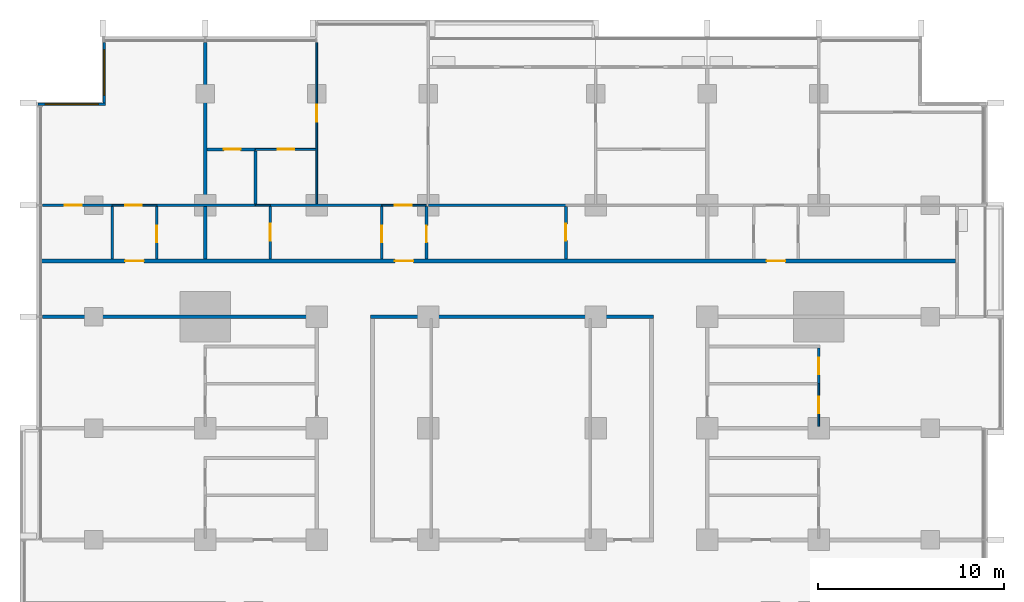
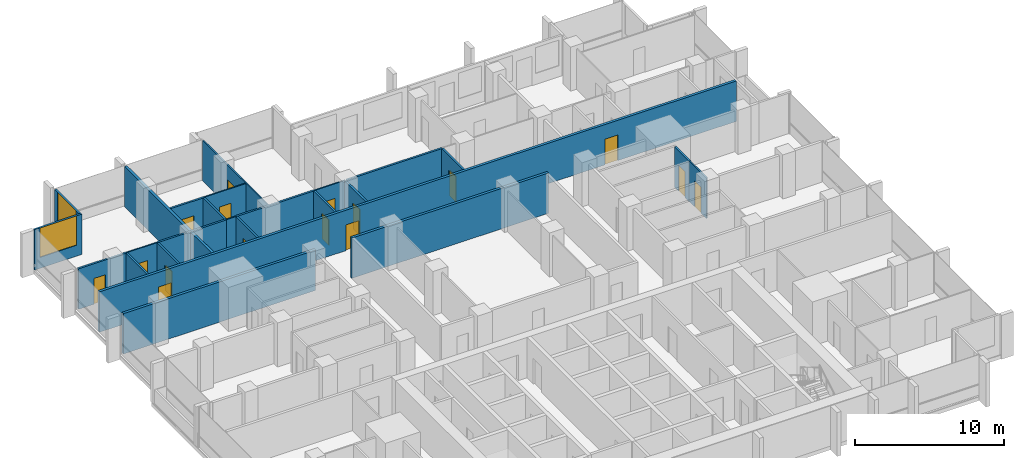
# One storey, part 10 of 17: 26 walls, 16 doors, 2 windows, 18 openings.
"""IFC4 building model written with IfcOpenShell, lengths in metres."""

from ifc_helpers import new_model, si_unit, direction, frame, frame_2d, origin, place, context, subcontext, project, spatial, rectangle, extrude, material, layer, layer_set, type_object, element, fill, save


model = new_model("IFC4")

# Units and contexts
model_context = context("Model", 3, precision=1e-05, world=origin(), true_north=direction((0.0, 1.0)))
body_context = subcontext(model_context, "Body", "Model", "MODEL_VIEW")
ifc_project = project(units=[si_unit("LENGTHUNIT", "METRE"), si_unit("AREAUNIT", "SQUARE_METRE"), si_unit("VOLUMEUNIT", "CUBIC_METRE"), si_unit("PLANEANGLEUNIT", "RADIAN"), si_unit("MASSUNIT", "GRAM", prefix="KILO")], contexts=[model_context])

# Site, building, storey
site_placement = place(None, origin())
site = spatial("IfcSite", under=ifc_project, at=site_placement, CompositionType="ELEMENT")
building_placement = place(site_placement, origin())
building = spatial("IfcBuilding", under=site, at=building_placement, Name="Finial Court Residences", CompositionType="ELEMENT")
storey_placement = place(building_placement, frame((0.0, 0.0, 124.300048828125)))
storey = spatial("IfcBuildingStorey", under=building, at=storey_placement, Name="L31", CompositionType="ELEMENT", Elevation=124.300048828125)

# Walls
ifc_material_1 = material(Name="Gypsum board")
ifc_layer_1 = layer(ifc_material_1, 0.02490234375)
ifc_material_2 = material(Name="Acoustic mineral wool in double frame")
ifc_layer_2 = layer(ifc_material_2, 0.14990234375)
ifc_layer_3 = layer(ifc_material_1, 0.02490234375)
ifc_layer_set_1 = layer_set([ifc_layer_1, ifc_layer_2, ifc_layer_3], Name="Acoustic party wall 200, 1 hour")
wall_type_1 = type_object("IfcWallType", Name="Acoustic party wall 200, 1 hour", PredefinedType="PARTITIONING", material=ifc_layer_set_1)
wall_1_placement = place(storey_placement, frame((-16.5, 10.60009765625, 0.0), z_axis=(0.0, 0.0, 1.0), x_axis=(0.0, 1.0, 0.0)))
element("IfcWall", 1, at=wall_1_placement, inside=storey, type_object=wall_type_1, Name="Partition L31-048", PredefinedType="PARTITIONING", context=body_context, shape_type="SweptSolid", body=[
    extrude(rectangle(XDim=2.824951171875, YDim=0.199951171875, at=frame_2d((1.41259765625, 0.0))), origin(), (0.0, 0.0, 1.0), 3.300048828125),
])
wall_2_placement = place(storey_placement, frame((-16.5, 13.574951171875, 0.0), z_axis=(0.0, 0.0, 1.0), x_axis=(0.0, 1.0, 0.0)))
element("IfcWall", 2, at=wall_2_placement, inside=storey, type_object=wall_type_1, Name="Partition L31-049", PredefinedType="PARTITIONING", context=body_context, shape_type="SweptSolid", body=[
    extrude(rectangle(XDim=8.675048828125, YDim=0.199951171875, at=frame_2d((4.33740234375, 0.0))), origin(), (0.0, 0.0, 1.0), 3.300048828125),
])
ifc_layer_4 = layer(ifc_material_1, 0.02490234375)
ifc_layer_5 = layer(ifc_material_2, 0.14990234375)
ifc_layer_6 = layer(ifc_material_1, 0.02490234375)
ifc_layer_set_2 = layer_set([ifc_layer_4, ifc_layer_5, ifc_layer_6], Name="Corridor wall 200, 1 hour")
wall_type_2 = type_object("IfcWallType", Name="Corridor wall 200, 1 hour", PredefinedType="PARTITIONING", material=ifc_layer_set_2)
wall_3_placement = place(storey_placement, frame((-25.25, 7.5, 0.0), z_axis=(0.0, 0.0, 1.0), x_axis=(1.0, 0.0, 0.0)))
element("IfcWall", 3, at=wall_3_placement, inside=storey, type_object=wall_type_2, Name="Partition L31-023", PredefinedType="PARTITIONING", context=body_context, shape_type="SweptSolid", body=[
    extrude(rectangle(XDim=14.85009765625, YDim=0.199951171875, at=frame_2d((7.425048828125, 0.0))), origin(), (0.0, 0.0, 1.0), 3.300048828125),
])
wall_4_placement = place(storey_placement, frame((-7.60009765625, 7.5, 0.0), z_axis=(0.0, 0.0, 1.0), x_axis=(1.0, 0.0, 0.0)))
element("IfcWall", 4, at=wall_4_placement, inside=storey, type_object=wall_type_2, Name="Partition L31-024", PredefinedType="PARTITIONING", context=body_context, shape_type="SweptSolid", body=[
    extrude(rectangle(XDim=15.2001953125, YDim=0.199951171875, at=frame_2d((7.60009765625, 0.0))), origin(), (0.0, 0.0, 1.0), 3.300048828125),
])

# Wall, openings, doors
wall_5_placement = place(storey_placement, frame((-25.35009765625, 10.5, 0.0), z_axis=(0.0, 0.0, 1.0), x_axis=(1.0, 0.0, 0.0)))
wall_5 = element("IfcWall", 5, at=wall_5_placement, inside=storey, type_object=wall_type_2, Name="Partition L31-026", PredefinedType="PARTITIONING", context=body_context, shape_type="SweptSolid", body=[
    extrude(rectangle(XDim=49.2001953125, YDim=0.199951171875, at=frame_2d((24.60009765625, 0.0))), origin(), (0.0, 0.0, 1.0), 3.300048828125),
])
opening_1_placement = place(wall_5_placement, frame((4.550048828125, 0.0, 0.0)))
opening_1 = element("IfcOpeningElement", 6, at=opening_1_placement, cuts=wall_5, Name="Opening L31-D012", PredefinedType="OPENING", context=body_context, shape_type="SweptSolid", body=[
    extrude(rectangle(XDim=1.0, YDim=2.10009765625, at=frame_2d((0.5, 1.050048828125))), frame((0.0, 0.10986328125, 0.0), z_axis=(0.0, -1.0, 0.0), x_axis=(1.0, 0.0, 0.0)), (0.0, 0.0, 1.0), 0.219970703125),
])
opening_2_placement = place(wall_5_placement, frame((19.050048828125, 0.0, 0.0)))
opening_2 = element("IfcOpeningElement", 7, at=opening_2_placement, cuts=wall_5, Name="Opening L31-D013", PredefinedType="OPENING", context=body_context, shape_type="SweptSolid", body=[
    extrude(rectangle(XDim=1.0, YDim=2.10009765625, at=frame_2d((0.5, 1.050048828125))), frame((0.0, 0.10986328125, 0.0), z_axis=(0.0, -1.0, 0.0), x_axis=(1.0, 0.0, 0.0)), (0.0, 0.0, 1.0), 0.219970703125),
])
opening_3_placement = place(wall_5_placement, frame((39.050048828125, 0.0, 0.0)))
opening_3 = element("IfcOpeningElement", 8, at=opening_3_placement, cuts=wall_5, Name="Opening L31-D014", PredefinedType="OPENING", context=body_context, shape_type="SweptSolid", body=[
    extrude(rectangle(XDim=1.0, YDim=2.10009765625, at=frame_2d((0.5, 1.050048828125))), frame((0.0, 0.10986328125, 0.0), z_axis=(0.0, -1.0, 0.0), x_axis=(1.0, 0.0, 0.0)), (0.0, 0.0, 1.0), 0.219970703125),
])
ifc_material_3 = material(Name="Timber door leaf in hollow metal frame", Category="wood")
door_type_1 = type_object("IfcDoorType", Name="Fire door set 1000 x 2100, 30 minutes", OperationType="SINGLE_SWING_LEFT", PredefinedType="DOOR", material=ifc_material_3)
door_1_placement = place(opening_1_placement, origin())
door_1 = element("IfcDoor", 9, at=door_1_placement, inside=storey, type_object=door_type_1, Name="Door L31-D012", OperationType="SINGLE_SWING_RIGHT", OverallHeight=2.10009765625, OverallWidth=1.0, PredefinedType="DOOR", context=body_context, shape_type="SweptSolid", body=[
    extrude(rectangle(XDim=1.0, YDim=2.10009765625, at=frame_2d((0.5, 1.050048828125))), frame((0.0, 0.02490234375, 0.0), z_axis=(0.0, -1.0, 0.0), x_axis=(1.0, 0.0, 0.0)), (0.0, 0.0, 1.0), 0.050048828125),
])
fill(opening_1, door_1)
door_2_placement = place(opening_2_placement, origin())
door_2 = element("IfcDoor", 10, at=door_2_placement, inside=storey, type_object=door_type_1, Name="Door L31-D013", OperationType="SINGLE_SWING_RIGHT", OverallHeight=2.10009765625, OverallWidth=1.0, PredefinedType="DOOR", context=body_context, shape_type="SweptSolid", body=[
    extrude(rectangle(XDim=1.0, YDim=2.10009765625, at=frame_2d((0.5, 1.050048828125))), frame((0.0, 0.02490234375, 0.0), z_axis=(0.0, -1.0, 0.0), x_axis=(1.0, 0.0, 0.0)), (0.0, 0.0, 1.0), 0.050048828125),
])
fill(opening_2, door_2)
door_3_placement = place(opening_3_placement, origin())
door_3 = element("IfcDoor", 11, at=door_3_placement, inside=storey, type_object=door_type_1, Name="Door L31-D014", OperationType="SINGLE_SWING_LEFT", OverallHeight=2.10009765625, OverallWidth=1.0, PredefinedType="DOOR", context=body_context, shape_type="SweptSolid", body=[
    extrude(rectangle(XDim=1.0, YDim=2.10009765625, at=frame_2d((0.5, 1.050048828125))), frame((0.0, 0.02490234375, 0.0), z_axis=(0.0, -1.0, 0.0), x_axis=(1.0, 0.0, 0.0)), (0.0, 0.0, 1.0), 0.050048828125),
])
fill(opening_3, door_3)

# Wall, opening, door
ifc_layer_7 = layer(ifc_material_1, 0.012451171875)
ifc_material_4 = material(Name="Mineral wool in light-gauge frame")
ifc_layer_8 = layer(ifc_material_4, 0.074951171875)
ifc_layer_9 = layer(ifc_material_1, 0.012451171875)
ifc_layer_set_3 = layer_set([ifc_layer_7, ifc_layer_8, ifc_layer_9], Name="Gypsum board partition 100")
wall_type_3 = type_object("IfcWallType", Name="Gypsum board partition 100", PredefinedType="PARTITIONING", material=ifc_layer_set_3)
wall_6_placement = place(storey_placement, frame((-21.5, 13.5, 0.0), z_axis=(0.0, 0.0, 1.0), x_axis=(1.0, 0.0, 0.0)))
wall_6 = element("IfcWall", 12, at=wall_6_placement, inside=storey, type_object=wall_type_3, Name="Partition L31-027", PredefinedType="PARTITIONING", context=body_context, shape_type="SweptSolid", body=[
    extrude(rectangle(XDim=2.39990234375, YDim=0.10009765625, at=frame_2d((1.199951171875, 0.0))), origin(), (0.0, 0.0, 1.0), 3.300048828125),
])
opening_4_placement = place(wall_6_placement, frame((0.699951171875, 0.0, 0.0)))
opening_4 = element("IfcOpeningElement", 13, at=opening_4_placement, cuts=wall_6, Name="Opening L31-D015", PredefinedType="OPENING", context=body_context, shape_type="SweptSolid", body=[
    extrude(rectangle(XDim=0.89990234375, YDim=2.10009765625, at=frame_2d((0.449951171875, 1.050048828125))), frame((0.0, 0.06005859375, 0.0), z_axis=(0.0, -1.0, 0.0), x_axis=(1.0, 0.0, 0.0)), (0.0, 0.0, 1.0), 0.1201171875),
])
ifc_material_5 = material(Name="Timber door leaf in timber frame", Category="wood")
door_type_2 = type_object("IfcDoorType", Name="Door set 900 x 2100", OperationType="SINGLE_SWING_LEFT", PredefinedType="DOOR", material=ifc_material_5)
door_4_placement = place(opening_4_placement, origin())
door_4 = element("IfcDoor", 14, at=door_4_placement, inside=storey, type_object=door_type_2, Name="Door L31-D015", OperationType="SINGLE_SWING_RIGHT", OverallHeight=2.10009765625, OverallWidth=0.89990234375, PredefinedType="DOOR", context=body_context, shape_type="SweptSolid", body=[
    extrude(rectangle(XDim=0.89990234375, YDim=2.10009765625, at=frame_2d((0.449951171875, 1.050048828125))), frame((0.0, 0.02490234375, 0.0), z_axis=(0.0, -1.0, 0.0), x_axis=(1.0, 0.0, 0.0)), (0.0, 0.0, 1.0), 0.050048828125),
])
fill(opening_4, door_4)

# Wall
wall_7_placement = place(storey_placement, frame((-13.800048828125, 13.5, 0.0), z_axis=(0.0, 0.0, 1.0), x_axis=(1.0, 0.0, 0.0)))
element("IfcWall", 15, at=wall_7_placement, inside=storey, type_object=wall_type_3, Name="Partition L31-028", PredefinedType="PARTITIONING", context=body_context, shape_type="SweptSolid", body=[
    extrude(rectangle(XDim=0.800048828125, YDim=0.10009765625, at=frame_2d((0.39990234375, 0.0))), origin(), (0.0, 0.0, 1.0), 3.300048828125),
])

# Wall, opening, door
wall_8_placement = place(storey_placement, frame((-7.0, 13.5, 0.0), z_axis=(0.0, 0.0, 1.0), x_axis=(1.0, 0.0, 0.0)))
wall_8 = element("IfcWall", 16, at=wall_8_placement, inside=storey, type_object=wall_type_3, Name="Partition L31-029", PredefinedType="PARTITIONING", context=body_context, shape_type="SweptSolid", body=[
    extrude(rectangle(XDim=2.39990234375, YDim=0.10009765625, at=frame_2d((1.199951171875, 0.0))), origin(), (0.0, 0.0, 1.0), 3.300048828125),
])
opening_5_placement = place(wall_8_placement, frame((0.699951171875, 0.0, 0.0)))
opening_5 = element("IfcOpeningElement", 17, at=opening_5_placement, cuts=wall_8, Name="Opening L31-D016", PredefinedType="OPENING", context=body_context, shape_type="SweptSolid", body=[
    extrude(rectangle(XDim=0.89990234375, YDim=2.10009765625, at=frame_2d((0.449951171875, 1.050048828125))), frame((0.0, 0.06005859375, 0.0), z_axis=(0.0, -1.0, 0.0), x_axis=(1.0, 0.0, 0.0)), (0.0, 0.0, 1.0), 0.1201171875),
])
door_5_placement = place(opening_5_placement, origin())
door_5 = element("IfcDoor", 18, at=door_5_placement, inside=storey, type_object=door_type_2, Name="Door L31-D016", OperationType="SINGLE_SWING_LEFT", OverallHeight=2.10009765625, OverallWidth=0.89990234375, PredefinedType="DOOR", context=body_context, shape_type="SweptSolid", body=[
    extrude(rectangle(XDim=0.89990234375, YDim=2.10009765625, at=frame_2d((0.449951171875, 1.050048828125))), frame((0.0, 0.02490234375, 0.0), z_axis=(0.0, -1.0, 0.0), x_axis=(1.0, 0.0, 0.0)), (0.0, 0.0, 1.0), 0.050048828125),
])
fill(opening_5, door_5)

wall_9_placement = place(storey_placement, frame((-13.800048828125, 16.5, 0.0), z_axis=(0.0, 0.0, 1.0), x_axis=(1.0, 0.0, 0.0)))
wall_9 = element("IfcWall", 19, at=wall_9_placement, inside=storey, type_object=wall_type_3, Name="Partition L31-039", PredefinedType="PARTITIONING", context=body_context, shape_type="SweptSolid", body=[
    extrude(rectangle(XDim=3.25, YDim=0.10009765625, at=frame_2d((1.625, 0.0))), origin(), (0.0, 0.0, 1.0), 3.300048828125),
])
opening_6_placement = place(wall_9_placement, frame((1.199951171875, 0.0, 0.0)))
opening_6 = element("IfcOpeningElement", 20, at=opening_6_placement, cuts=wall_9, Name="Opening L31-D019", PredefinedType="OPENING", context=body_context, shape_type="SweptSolid", body=[
    extrude(rectangle(XDim=0.89990234375, YDim=2.10009765625, at=frame_2d((0.449951171875, 1.050048828125))), frame((0.0, 0.06005859375, 0.0), z_axis=(0.0, -1.0, 0.0), x_axis=(1.0, 0.0, 0.0)), (0.0, 0.0, 1.0), 0.1201171875),
])
door_6_placement = place(opening_6_placement, origin())
door_6 = element("IfcDoor", 21, at=door_6_placement, inside=storey, type_object=door_type_2, Name="Door L31-D019", OperationType="SINGLE_SWING_LEFT", OverallHeight=2.10009765625, OverallWidth=0.89990234375, PredefinedType="DOOR", context=body_context, shape_type="SweptSolid", body=[
    extrude(rectangle(XDim=0.89990234375, YDim=2.10009765625, at=frame_2d((0.449951171875, 1.050048828125))), frame((0.0, 0.02490234375, 0.0), z_axis=(0.0, -1.0, 0.0), x_axis=(1.0, 0.0, 0.0)), (0.0, 0.0, 1.0), 0.050048828125),
])
fill(opening_6, door_6)

wall_10_placement = place(storey_placement, frame((-10.5, 13.574951171875, 0.0), z_axis=(0.0, 0.0, 1.0), x_axis=(0.0, 1.0, 0.0)))
wall_10 = element("IfcWall", 22, at=wall_10_placement, inside=storey, type_object=wall_type_3, Name="Partition L31-057", PredefinedType="PARTITIONING", context=body_context, shape_type="SweptSolid", body=[
    extrude(rectangle(XDim=8.675048828125, YDim=0.10009765625, at=frame_2d((4.33740234375, 0.0))), origin(), (0.0, 0.0, 1.0), 3.300048828125),
])
opening_7_placement = place(wall_10_placement, frame((4.425048828125, 0.0, 0.0)))
opening_7 = element("IfcOpeningElement", 23, at=opening_7_placement, cuts=wall_10, Name="Opening L31-D032", PredefinedType="OPENING", context=body_context, shape_type="SweptSolid", body=[
    extrude(rectangle(XDim=0.89990234375, YDim=2.10009765625, at=frame_2d((0.449951171875, 1.050048828125))), frame((0.0, 0.06005859375, 0.0), z_axis=(0.0, -1.0, 0.0), x_axis=(1.0, 0.0, 0.0)), (0.0, 0.0, 1.0), 0.1201171875),
])
door_7_placement = place(opening_7_placement, origin())
door_7 = element("IfcDoor", 24, at=door_7_placement, inside=storey, type_object=door_type_2, Name="Door L31-D032", OperationType="SINGLE_SWING_LEFT", OverallHeight=2.10009765625, OverallWidth=0.89990234375, PredefinedType="DOOR", context=body_context, shape_type="SweptSolid", body=[
    extrude(rectangle(XDim=0.89990234375, YDim=2.10009765625, at=frame_2d((0.449951171875, 1.050048828125))), frame((0.0, 0.02490234375, 0.0), z_axis=(0.0, -1.0, 0.0), x_axis=(1.0, 0.0, 0.0)), (0.0, 0.0, 1.0), 0.050048828125),
])
fill(opening_7, door_7)

wall_11_placement = place(storey_placement, frame((16.5, 1.60009765625, 0.0), z_axis=(0.0, 0.0, 1.0), x_axis=(0.0, 1.0, 0.0)))
wall_11 = element("IfcWall", 25, at=wall_11_placement, inside=storey, type_object=wall_type_3, Name="Partition L31-077", PredefinedType="PARTITIONING", context=body_context, shape_type="SweptSolid", body=[
    extrude(rectangle(XDim=2.2998046875, YDim=0.10009765625, at=frame_2d((1.14990234375, 0.0))), origin(), (0.0, 0.0, 1.0), 3.300048828125),
])
opening_8_placement = place(wall_11_placement, frame((0.699951171875, 0.0, 0.0)))
opening_8 = element("IfcOpeningElement", 26, at=opening_8_placement, cuts=wall_11, Name="Opening L31-D045", PredefinedType="OPENING", context=body_context, shape_type="SweptSolid", body=[
    extrude(rectangle(XDim=0.89990234375, YDim=2.10009765625, at=frame_2d((0.449951171875, 1.050048828125))), frame((0.0, 0.06005859375, 0.0), z_axis=(0.0, -1.0, 0.0), x_axis=(1.0, 0.0, 0.0)), (0.0, 0.0, 1.0), 0.1201171875),
])
door_8_placement = place(opening_8_placement, origin())
door_8 = element("IfcDoor", 27, at=door_8_placement, inside=storey, type_object=door_type_2, Name="Door L31-D045", OperationType="SINGLE_SWING_LEFT", OverallHeight=2.10009765625, OverallWidth=0.89990234375, PredefinedType="DOOR", context=body_context, shape_type="SweptSolid", body=[
    extrude(rectangle(XDim=0.89990234375, YDim=2.10009765625, at=frame_2d((0.449951171875, 1.050048828125))), frame((0.0, 0.02490234375, 0.0), z_axis=(0.0, -1.0, 0.0), x_axis=(1.0, 0.0, 0.0)), (0.0, 0.0, 1.0), 0.050048828125),
])
fill(opening_8, door_8)

ifc_material_6 = material(Name="Moisture-resistant gypsum board")
ifc_layer_10 = layer(ifc_material_6, 0.012451171875)
ifc_layer_11 = layer(ifc_material_4, 0.125)
ifc_layer_12 = layer(ifc_material_6, 0.012451171875)
ifc_layer_set_4 = layer_set([ifc_layer_10, ifc_layer_11, ifc_layer_12], Name="Gypsum board wet-area partition 150")
wall_type_4 = type_object("IfcWallType", Name="Gypsum board wet-area partition 150", PredefinedType="PARTITIONING", material=ifc_layer_set_4)
wall_12_placement = place(storey_placement, frame((-25.25, 13.5, 0.0), z_axis=(0.0, 0.0, 1.0), x_axis=(1.0, 0.0, 0.0)))
wall_12 = element("IfcWall", 28, at=wall_12_placement, inside=storey, type_object=wall_type_4, Name="Partition L31-033", PredefinedType="PARTITIONING", context=body_context, shape_type="SweptSolid", body=[
    extrude(rectangle(XDim=3.75, YDim=0.14990234375, at=frame_2d((1.875, 0.0))), origin(), (0.0, 0.0, 1.0), 3.300048828125),
])
opening_9_placement = place(wall_12_placement, frame((1.199951171875, 0.0, 0.0)))
opening_9 = element("IfcOpeningElement", 29, at=opening_9_placement, cuts=wall_12, Name="Opening L31-D018", PredefinedType="OPENING", context=body_context, shape_type="SweptSolid", body=[
    extrude(rectangle(XDim=0.89990234375, YDim=2.10009765625, at=frame_2d((0.449951171875, 1.050048828125))), frame((0.0, 0.0849609375, 0.0), z_axis=(0.0, -1.0, 0.0), x_axis=(1.0, 0.0, 0.0)), (0.0, 0.0, 1.0), 0.169921875),
])
door_9_placement = place(opening_9_placement, origin())
door_9 = element("IfcDoor", 30, at=door_9_placement, inside=storey, type_object=door_type_2, Name="Door L31-D018", OperationType="SINGLE_SWING_LEFT", OverallHeight=2.10009765625, OverallWidth=0.89990234375, PredefinedType="DOOR", context=body_context, shape_type="SweptSolid", body=[
    extrude(rectangle(XDim=0.89990234375, YDim=2.10009765625, at=frame_2d((0.449951171875, 1.050048828125))), frame((0.0, 0.02490234375, 0.0), z_axis=(0.0, -1.0, 0.0), x_axis=(1.0, 0.0, 0.0)), (0.0, 0.0, 1.0), 0.050048828125),
])
fill(opening_9, door_9)

# Walls
wall_13_placement = place(storey_placement, frame((-19.10009765625, 13.5, 0.0), z_axis=(0.0, 0.0, 1.0), x_axis=(1.0, 0.0, 0.0)))
element("IfcWall", 31, at=wall_13_placement, inside=storey, type_object=wall_type_4, Name="Partition L31-034", PredefinedType="PARTITIONING", context=body_context, shape_type="SweptSolid", body=[
    extrude(rectangle(XDim=5.300048828125, YDim=0.14990234375, at=frame_2d((2.64990234375, 0.0))), origin(), (0.0, 0.0, 1.0), 3.300048828125),
])
wall_14_placement = place(storey_placement, frame((-13.0, 13.5, 0.0), z_axis=(0.0, 0.0, 1.0), x_axis=(1.0, 0.0, 0.0)))
element("IfcWall", 32, at=wall_14_placement, inside=storey, type_object=wall_type_4, Name="Partition L31-035", PredefinedType="PARTITIONING", context=body_context, shape_type="SweptSolid", body=[
    extrude(rectangle(XDim=6.0, YDim=0.14990234375, at=frame_2d((3.0, 0.0))), origin(), (0.0, 0.0, 1.0), 3.300048828125),
])
wall_15_placement = place(storey_placement, frame((-4.5, 13.5, 0.0), z_axis=(0.0, 0.0, 1.0), x_axis=(1.0, 0.0, 0.0)))
element("IfcWall", 33, at=wall_15_placement, inside=storey, type_object=wall_type_4, Name="Partition L31-036", PredefinedType="PARTITIONING", context=body_context, shape_type="SweptSolid", body=[
    extrude(rectangle(XDim=7.39990234375, YDim=0.14990234375, at=frame_2d((3.699951171875, 0.0))), origin(), (0.0, 0.0, 1.0), 3.300048828125),
])

# Wall, opening, door
wall_16_placement = place(storey_placement, frame((-16.39990234375, 16.5, 0.0), z_axis=(0.0, 0.0, 1.0), x_axis=(1.0, 0.0, 0.0)))
wall_16 = element("IfcWall", 34, at=wall_16_placement, inside=storey, type_object=wall_type_4, Name="Partition L31-041", PredefinedType="PARTITIONING", context=body_context, shape_type="SweptSolid", body=[
    extrude(rectangle(XDim=2.599853515625, YDim=0.14990234375, at=frame_2d((1.2998046875, 0.0))), origin(), (0.0, 0.0, 1.0), 3.300048828125),
])
opening_10_placement = place(wall_16_placement, frame((0.89990234375, 0.0, 0.0)))
opening_10 = element("IfcOpeningElement", 35, at=opening_10_placement, cuts=wall_16, Name="Opening L31-D021", PredefinedType="OPENING", context=body_context, shape_type="SweptSolid", body=[
    extrude(rectangle(XDim=0.89990234375, YDim=2.10009765625, at=frame_2d((0.449951171875, 1.050048828125))), frame((0.0, 0.0849609375, 0.0), z_axis=(0.0, -1.0, 0.0), x_axis=(1.0, 0.0, 0.0)), (0.0, 0.0, 1.0), 0.169921875),
])
door_10_placement = place(opening_10_placement, origin())
door_10 = element("IfcDoor", 36, at=door_10_placement, inside=storey, type_object=door_type_2, Name="Door L31-D021", OperationType="SINGLE_SWING_LEFT", OverallHeight=2.10009765625, OverallWidth=0.89990234375, PredefinedType="DOOR", context=body_context, shape_type="SweptSolid", body=[
    extrude(rectangle(XDim=0.89990234375, YDim=2.10009765625, at=frame_2d((0.449951171875, 1.050048828125))), frame((0.0, 0.02490234375, 0.0), z_axis=(0.0, -1.0, 0.0), x_axis=(1.0, 0.0, 0.0)), (0.0, 0.0, 1.0), 0.050048828125),
])
fill(opening_10, door_10)

# Wall
wall_17_placement = place(storey_placement, frame((-21.5, 10.60009765625, 0.0), z_axis=(0.0, 0.0, 1.0), x_axis=(0.0, 1.0, 0.0)))
element("IfcWall", 37, at=wall_17_placement, inside=storey, type_object=wall_type_4, Name="Partition L31-043", PredefinedType="PARTITIONING", context=body_context, shape_type="SweptSolid", body=[
    extrude(rectangle(XDim=2.824951171875, YDim=0.14990234375, at=frame_2d((1.41259765625, 0.0))), origin(), (0.0, 0.0, 1.0), 3.300048828125),
])

# Wall, opening, door
wall_18_placement = place(storey_placement, frame((-19.10009765625, 10.60009765625, 0.0), z_axis=(0.0, 0.0, 1.0), x_axis=(0.0, 1.0, 0.0)))
wall_18 = element("IfcWall", 38, at=wall_18_placement, inside=storey, type_object=wall_type_4, Name="Partition L31-045", PredefinedType="PARTITIONING", context=body_context, shape_type="SweptSolid", body=[
    extrude(rectangle(XDim=2.824951171875, YDim=0.14990234375, at=frame_2d((1.41259765625, 0.0))), origin(), (0.0, 0.0, 1.0), 3.300048828125),
])
opening_11_placement = place(wall_18_placement, frame((0.89990234375, 0.0, 0.0)))
opening_11 = element("IfcOpeningElement", 39, at=opening_11_placement, cuts=wall_18, Name="Opening L31-D024", PredefinedType="OPENING", context=body_context, shape_type="SweptSolid", body=[
    extrude(rectangle(XDim=0.89990234375, YDim=2.10009765625, at=frame_2d((0.449951171875, 1.050048828125))), frame((0.0, 0.0849609375, 0.0), z_axis=(0.0, -1.0, 0.0), x_axis=(1.0, 0.0, 0.0)), (0.0, 0.0, 1.0), 0.169921875),
])
door_11_placement = place(opening_11_placement, origin())
door_11 = element("IfcDoor", 40, at=door_11_placement, inside=storey, type_object=door_type_2, Name="Door L31-D024", OperationType="SINGLE_SWING_RIGHT", OverallHeight=2.10009765625, OverallWidth=0.89990234375, PredefinedType="DOOR", context=body_context, shape_type="SweptSolid", body=[
    extrude(rectangle(XDim=0.89990234375, YDim=2.10009765625, at=frame_2d((0.449951171875, 1.050048828125))), frame((0.0, 0.02490234375, 0.0), z_axis=(0.0, -1.0, 0.0), x_axis=(1.0, 0.0, 0.0)), (0.0, 0.0, 1.0), 0.050048828125),
])
fill(opening_11, door_11)

# Wall
wall_19_placement = place(storey_placement, frame((-13.800048828125, 13.574951171875, 0.0), z_axis=(0.0, 0.0, 1.0), x_axis=(0.0, 1.0, 0.0)))
element("IfcWall", 41, at=wall_19_placement, inside=storey, type_object=wall_type_4, Name="Partition L31-054", PredefinedType="PARTITIONING", context=body_context, shape_type="SweptSolid", body=[
    extrude(rectangle(XDim=2.85009765625, YDim=0.14990234375, at=frame_2d((1.425048828125, 0.0))), origin(), (0.0, 0.0, 1.0), 3.300048828125),
])

# Wall, opening, door
wall_20_placement = place(storey_placement, frame((-13.0, 10.60009765625, 0.0), z_axis=(0.0, 0.0, 1.0), x_axis=(0.0, 1.0, 0.0)))
wall_20 = element("IfcWall", 42, at=wall_20_placement, inside=storey, type_object=wall_type_4, Name="Partition L31-055", PredefinedType="PARTITIONING", context=body_context, shape_type="SweptSolid", body=[
    extrude(rectangle(XDim=2.824951171875, YDim=0.14990234375, at=frame_2d((1.41259765625, 0.0))), origin(), (0.0, 0.0, 1.0), 3.300048828125),
])
opening_12_placement = place(wall_20_placement, frame((1.0, 0.0, 0.0)))
opening_12 = element("IfcOpeningElement", 43, at=opening_12_placement, cuts=wall_20, Name="Opening L31-D030", PredefinedType="OPENING", context=body_context, shape_type="SweptSolid", body=[
    extrude(rectangle(XDim=0.89990234375, YDim=2.10009765625, at=frame_2d((0.449951171875, 1.050048828125))), frame((0.0, 0.0849609375, 0.0), z_axis=(0.0, -1.0, 0.0), x_axis=(1.0, 0.0, 0.0)), (0.0, 0.0, 1.0), 0.169921875),
])
door_12_placement = place(opening_12_placement, origin())
door_12 = element("IfcDoor", 44, at=door_12_placement, inside=storey, type_object=door_type_2, Name="Door L31-D030", OperationType="SINGLE_SWING_LEFT", OverallHeight=2.10009765625, OverallWidth=0.89990234375, PredefinedType="DOOR", context=body_context, shape_type="SweptSolid", body=[
    extrude(rectangle(XDim=0.89990234375, YDim=2.10009765625, at=frame_2d((0.449951171875, 1.050048828125))), frame((0.0, 0.02490234375, 0.0), z_axis=(0.0, -1.0, 0.0), x_axis=(1.0, 0.0, 0.0)), (0.0, 0.0, 1.0), 0.050048828125),
])
fill(opening_12, door_12)

wall_21_placement = place(storey_placement, frame((-7.0, 10.60009765625, 0.0), z_axis=(0.0, 0.0, 1.0), x_axis=(0.0, 1.0, 0.0)))
wall_21 = element("IfcWall", 45, at=wall_21_placement, inside=storey, type_object=wall_type_4, Name="Partition L31-059", PredefinedType="PARTITIONING", context=body_context, shape_type="SweptSolid", body=[
    extrude(rectangle(XDim=2.824951171875, YDim=0.14990234375, at=frame_2d((1.41259765625, 0.0))), origin(), (0.0, 0.0, 1.0), 3.300048828125),
])
opening_13_placement = place(wall_21_placement, frame((0.89990234375, 0.0, 0.0)))
opening_13 = element("IfcOpeningElement", 46, at=opening_13_placement, cuts=wall_21, Name="Opening L31-D033", PredefinedType="OPENING", context=body_context, shape_type="SweptSolid", body=[
    extrude(rectangle(XDim=0.89990234375, YDim=2.10009765625, at=frame_2d((0.449951171875, 1.050048828125))), frame((0.0, 0.0849609375, 0.0), z_axis=(0.0, -1.0, 0.0), x_axis=(1.0, 0.0, 0.0)), (0.0, 0.0, 1.0), 0.169921875),
])
door_13_placement = place(opening_13_placement, origin())
door_13 = element("IfcDoor", 47, at=door_13_placement, inside=storey, type_object=door_type_2, Name="Door L31-D033", OperationType="SINGLE_SWING_RIGHT", OverallHeight=2.10009765625, OverallWidth=0.89990234375, PredefinedType="DOOR", context=body_context, shape_type="SweptSolid", body=[
    extrude(rectangle(XDim=0.89990234375, YDim=2.10009765625, at=frame_2d((0.449951171875, 1.050048828125))), frame((0.0, 0.02490234375, 0.0), z_axis=(0.0, -1.0, 0.0), x_axis=(1.0, 0.0, 0.0)), (0.0, 0.0, 1.0), 0.050048828125),
])
fill(opening_13, door_13)

wall_22_placement = place(storey_placement, frame((-4.60009765625, 10.60009765625, 0.0), z_axis=(0.0, 0.0, 1.0), x_axis=(0.0, 1.0, 0.0)))
wall_22 = element("IfcWall", 48, at=wall_22_placement, inside=storey, type_object=wall_type_4, Name="Partition L31-060", PredefinedType="PARTITIONING", context=body_context, shape_type="SweptSolid", body=[
    extrude(rectangle(XDim=2.824951171875, YDim=0.14990234375, at=frame_2d((1.41259765625, 0.0))), origin(), (0.0, 0.0, 1.0), 3.300048828125),
])
opening_14_placement = place(wall_22_placement, frame((0.89990234375, 0.0, 0.0)))
opening_14 = element("IfcOpeningElement", 49, at=opening_14_placement, cuts=wall_22, Name="Opening L31-D034", PredefinedType="OPENING", context=body_context, shape_type="SweptSolid", body=[
    extrude(rectangle(XDim=0.89990234375, YDim=2.10009765625, at=frame_2d((0.449951171875, 1.050048828125))), frame((0.0, 0.0849609375, 0.0), z_axis=(0.0, -1.0, 0.0), x_axis=(1.0, 0.0, 0.0)), (0.0, 0.0, 1.0), 0.169921875),
])
door_14_placement = place(opening_14_placement, origin())
door_14 = element("IfcDoor", 50, at=door_14_placement, inside=storey, type_object=door_type_2, Name="Door L31-D034", OperationType="SINGLE_SWING_RIGHT", OverallHeight=2.10009765625, OverallWidth=0.89990234375, PredefinedType="DOOR", context=body_context, shape_type="SweptSolid", body=[
    extrude(rectangle(XDim=0.89990234375, YDim=2.10009765625, at=frame_2d((0.449951171875, 1.050048828125))), frame((0.0, 0.02490234375, 0.0), z_axis=(0.0, -1.0, 0.0), x_axis=(1.0, 0.0, 0.0)), (0.0, 0.0, 1.0), 0.050048828125),
])
fill(opening_14, door_14)

wall_23_placement = place(storey_placement, frame((2.89990234375, 10.60009765625, 0.0), z_axis=(0.0, 0.0, 1.0), x_axis=(0.0, 1.0, 0.0)))
wall_23 = element("IfcWall", 51, at=wall_23_placement, inside=storey, type_object=wall_type_4, Name="Partition L31-063", PredefinedType="PARTITIONING", context=body_context, shape_type="SweptSolid", body=[
    extrude(rectangle(XDim=2.824951171875, YDim=0.14990234375, at=frame_2d((1.41259765625, 0.0))), origin(), (0.0, 0.0, 1.0), 3.300048828125),
])
opening_15_placement = place(wall_23_placement, frame((1.0, 0.0, 0.0)))
opening_15 = element("IfcOpeningElement", 52, at=opening_15_placement, cuts=wall_23, Name="Opening L31-D036", PredefinedType="OPENING", context=body_context, shape_type="SweptSolid", body=[
    extrude(rectangle(XDim=0.89990234375, YDim=2.10009765625, at=frame_2d((0.449951171875, 1.050048828125))), frame((0.0, 0.0849609375, 0.0), z_axis=(0.0, -1.0, 0.0), x_axis=(1.0, 0.0, 0.0)), (0.0, 0.0, 1.0), 0.169921875),
])
door_15_placement = place(opening_15_placement, origin())
door_15 = element("IfcDoor", 53, at=door_15_placement, inside=storey, type_object=door_type_2, Name="Door L31-D036", OperationType="SINGLE_SWING_LEFT", OverallHeight=2.10009765625, OverallWidth=0.89990234375, PredefinedType="DOOR", context=body_context, shape_type="SweptSolid", body=[
    extrude(rectangle(XDim=0.89990234375, YDim=2.10009765625, at=frame_2d((0.449951171875, 1.050048828125))), frame((0.0, 0.02490234375, 0.0), z_axis=(0.0, -1.0, 0.0), x_axis=(1.0, 0.0, 0.0)), (0.0, 0.0, 1.0), 0.050048828125),
])
fill(opening_15, door_15)

wall_24_placement = place(storey_placement, frame((16.5, 3.89990234375, 0.0), z_axis=(0.0, 0.0, 1.0), x_axis=(0.0, 1.0, 0.0)))
wall_24 = element("IfcWall", 54, at=wall_24_placement, inside=storey, type_object=wall_type_4, Name="Partition L31-080", PredefinedType="PARTITIONING", context=body_context, shape_type="SweptSolid", body=[
    extrude(rectangle(XDim=1.925048828125, YDim=0.14990234375, at=frame_2d((0.96240234375, 0.0))), origin(), (0.0, 0.0, 1.0), 3.300048828125),
])
opening_16_placement = place(wall_24_placement, frame((0.5, 0.0, 0.0)))
opening_16 = element("IfcOpeningElement", 55, at=opening_16_placement, cuts=wall_24, Name="Opening L31-D048", PredefinedType="OPENING", context=body_context, shape_type="SweptSolid", body=[
    extrude(rectangle(XDim=0.89990234375, YDim=2.10009765625, at=frame_2d((0.449951171875, 1.050048828125))), frame((0.0, 0.0849609375, 0.0), z_axis=(0.0, -1.0, 0.0), x_axis=(1.0, 0.0, 0.0)), (0.0, 0.0, 1.0), 0.169921875),
])
door_16_placement = place(opening_16_placement, origin())
door_16 = element("IfcDoor", 56, at=door_16_placement, inside=storey, type_object=door_type_2, Name="Door L31-D048", OperationType="SINGLE_SWING_RIGHT", OverallHeight=2.10009765625, OverallWidth=0.89990234375, PredefinedType="DOOR", context=body_context, shape_type="SweptSolid", body=[
    extrude(rectangle(XDim=0.89990234375, YDim=2.10009765625, at=frame_2d((0.449951171875, 1.050048828125))), frame((0.0, 0.02490234375, 0.0), z_axis=(0.0, -1.0, 0.0), x_axis=(1.0, 0.0, 0.0)), (0.0, 0.0, 1.0), 0.050048828125),
])
fill(opening_16, door_16)

# Wall, opening, window
ifc_material_7 = material(Name="Natural limestone", Category="masonry")
ifc_layer_13 = layer(ifc_material_7, 0.14990234375)
ifc_layer_set_5 = layer_set([ifc_layer_13], Name="Limestone clad wall 150")
wall_type_5 = type_object("IfcWallType", Name="Limestone clad wall 150", PredefinedType="SOLIDWALL", material=ifc_layer_set_5)
wall_25_placement = place(storey_placement, frame((-21.925048828125, 19.0, 0.0), z_axis=(0.0, 0.0, 1.0), x_axis=(0.0, 1.0, 0.0)))
wall_25 = element("IfcWall", 57, at=wall_25_placement, inside=storey, type_object=wall_type_5, Name="E-L31-NWW16", PredefinedType="SOLIDWALL", context=body_context, shape_type="SweptSolid", body=[
    extrude(rectangle(XDim=3.25, YDim=0.14990234375, at=frame_2d((1.625, 0.0))), origin(), (0.0, 0.0, 1.0), 3.300048828125),
])
opening_17_placement = place(wall_25_placement, frame((0.39990234375, 0.0, 0.89990234375)))
opening_17 = element("IfcOpeningElement", 58, at=opening_17_placement, cuts=wall_25, Name="Opening WE31-05", PredefinedType="OPENING", context=body_context, shape_type="SweptSolid", body=[
    extrude(rectangle(XDim=2.449951171875, YDim=2.39990234375, at=frame_2d((1.22509765625, 1.199951171875))), frame((0.0, 0.0849609375, 0.0), z_axis=(0.0, -1.0, 0.0), x_axis=(1.0, 0.0, 0.0)), (0.0, 0.0, 1.0), 0.169921875),
])
ifc_material_8 = material(Name="Clear low-e glass", Category="glass")
window_type_1 = type_object("IfcWindowType", Name="Corner window 2450 x 2400", PartitioningType="SINGLE_PANEL", PredefinedType="WINDOW", material=ifc_material_8)
window_1_placement = place(opening_17_placement, origin())
window_1 = element("IfcWindow", 59, at=window_1_placement, inside=storey, type_object=window_type_1, Name="E-L31-NWW16-W1", OverallHeight=2.39990234375, OverallWidth=2.449951171875, PartitioningType="SINGLE_PANEL", PredefinedType="WINDOW", context=body_context, shape_type="SweptSolid", body=[
    extrude(rectangle(XDim=2.449951171875, YDim=2.39990234375, at=frame_2d((1.22509765625, 1.199951171875))), frame((0.0, 0.030029296875, 0.0), z_axis=(0.0, -1.0, 0.0), x_axis=(1.0, 0.0, 0.0)), (0.0, 0.0, 1.0), 0.06005859375),
])
fill(opening_17, window_1)

wall_26_placement = place(storey_placement, frame((-25.5, 18.925048828125, 0.0), z_axis=(0.0, 0.0, 1.0), x_axis=(1.0, 0.0, 0.0)))
wall_26 = element("IfcWall", 60, at=wall_26_placement, inside=storey, type_object=wall_type_5, Name="E-L31-NWN17", PredefinedType="SOLIDWALL", context=body_context, shape_type="SweptSolid", body=[
    extrude(rectangle(XDim=3.64990234375, YDim=0.14990234375, at=frame_2d((1.824951171875, 0.0))), origin(), (0.0, 0.0, 1.0), 3.300048828125),
])
opening_18_placement = place(wall_26_placement, frame((0.39990234375, 0.0, 0.89990234375)))
opening_18 = element("IfcOpeningElement", 61, at=opening_18_placement, cuts=wall_26, Name="Opening WE31-06", PredefinedType="OPENING", context=body_context, shape_type="SweptSolid", body=[
    extrude(rectangle(XDim=2.85009765625, YDim=2.39990234375, at=frame_2d((1.425048828125, 1.199951171875))), frame((0.0, 0.0849609375, 0.0), z_axis=(0.0, -1.0, 0.0), x_axis=(1.0, 0.0, 0.0)), (0.0, 0.0, 1.0), 0.169921875),
])
window_type_2 = type_object("IfcWindowType", Name="Corner window 2850 x 2400", PartitioningType="SINGLE_PANEL", PredefinedType="WINDOW", material=ifc_material_8)
window_2_placement = place(opening_18_placement, origin())
window_2 = element("IfcWindow", 62, at=window_2_placement, inside=storey, type_object=window_type_2, Name="E-L31-NWN17-W1", OverallHeight=2.39990234375, OverallWidth=2.85009765625, PartitioningType="SINGLE_PANEL", PredefinedType="WINDOW", context=body_context, shape_type="SweptSolid", body=[
    extrude(rectangle(XDim=2.85009765625, YDim=2.39990234375, at=frame_2d((1.425048828125, 1.199951171875))), frame((0.0, 0.030029296875, 0.0), z_axis=(0.0, -1.0, 0.0), x_axis=(1.0, 0.0, 0.0)), (0.0, 0.0, 1.0), 0.06005859375),
])
fill(opening_18, window_2)

save(model, "model.ifc")
